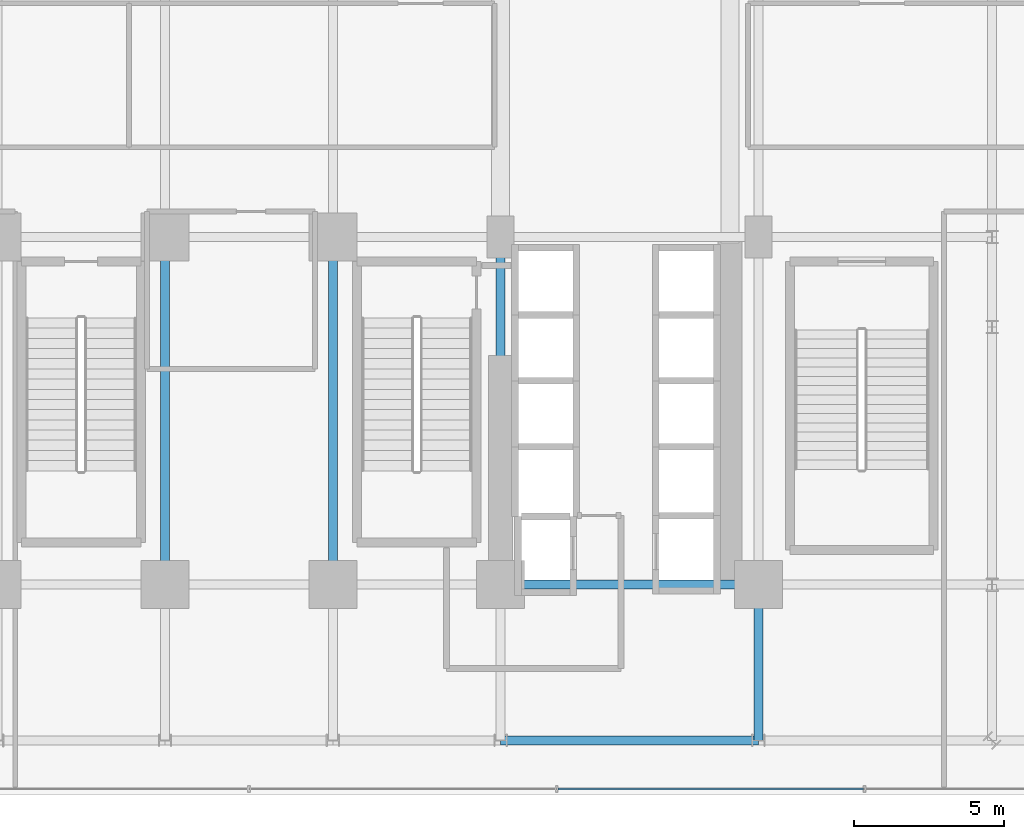
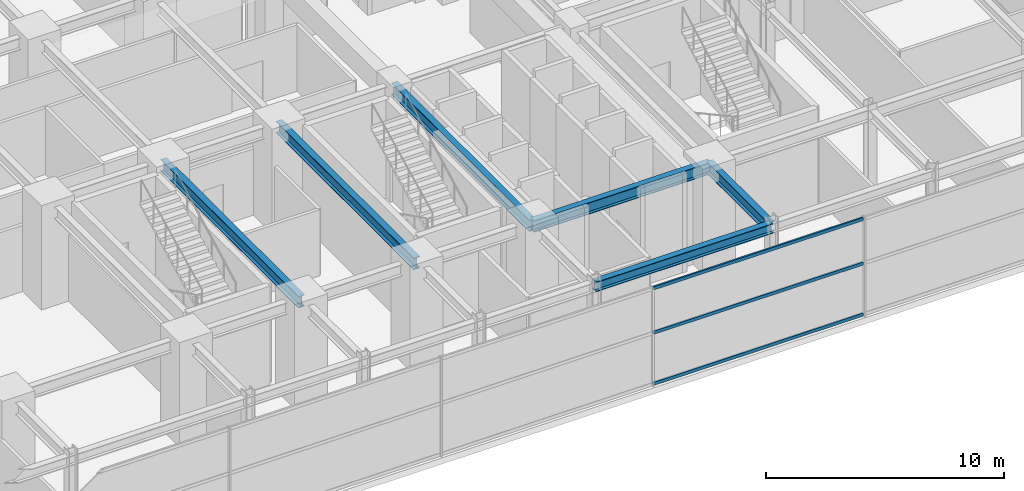
# One storey, part 11 of 32: 6 beams, 3 members, 1 element without a shape of its own.
"""IFC4 building model written with IfcOpenShell, lengths in metres."""

from ifc_helpers import new_model, si_unit, direction, frame, origin, origin_2d, place, context, subcontext, project, spatial, hollow_rectangle, i_section, extrude, source, transform, mapped, material, material_profile, profile_set, type_object, element, aggregate, save


model = new_model("IFC4")

# Units and contexts
model_context = context("Model", 3, precision=1e-05, world=origin(), true_north=direction((0.0, 1.0)))
body_context = subcontext(model_context, "Body", "Model", "MODEL_VIEW")
ifc_project = project(units=[si_unit("LENGTHUNIT", "METRE"), si_unit("AREAUNIT", "SQUARE_METRE"), si_unit("VOLUMEUNIT", "CUBIC_METRE"), si_unit("PLANEANGLEUNIT", "RADIAN"), si_unit("MASSUNIT", "GRAM", prefix="KILO")], contexts=[model_context])

# Site, building, storey
site_placement = place(None, origin())
site = spatial("IfcSite", under=ifc_project, at=site_placement, CompositionType="ELEMENT")
building_placement = place(site_placement, origin())
building = spatial("IfcBuilding", under=site, at=building_placement, Name="Nahalor Promenade Grand Hotel", CompositionType="ELEMENT")
storey_placement = place(building_placement, frame((0.0, 0.0, 10.800048828125)))
storey = spatial("IfcBuildingStorey", under=building, at=storey_placement, Name="L02", CompositionType="ELEMENT", Elevation=10.800048828125)

# Beams
ifc_material_1 = material(Name="Steel S355JR", Category="steel")
ifc_material_profile_1 = material_profile(ifc_material_1, i_section(OverallWidth=0.3, OverallDepth=0.6, WebThickness=0.0155, FlangeThickness=0.03, at=origin_2d()), Name="HEB 600")
ifc_profile_set_1 = profile_set([ifc_material_profile_1], Name="Steel S355JR")
beam_type_1 = type_object("IfcBeamType", Name="Beam-Girder-HEB600", PredefinedType="BEAM", material=ifc_profile_set_1)
shared_shape_1 = source(origin(), body_context, "Body", "SweptSolid", [
    extrude(i_section(OverallWidth=0.3, OverallDepth=0.6, WebThickness=0.0155, FlangeThickness=0.03, at=origin_2d()), origin(), (0.0, 0.0, 1.0), 8.60009765625),
])
beam_1_placement = place(storey_placement, frame((8.39990234375, -17.0, 4.760009765625), z_axis=(1.0, 0.0, 0.0), x_axis=(0.0, 1.0, 0.0)))
element("IfcBeam", 1, at=beam_1_placement, inside=storey, type_object=beam_type_1, Name="BM-L02-GX-0-6", PredefinedType="BEAM", context=body_context, shape_type="MappedRepresentation", body=[
    mapped(shared_shape_1, transform((0.0, 0.0, 0.0), scale=1.0)),
])
shared_shape_2 = source(origin(), body_context, "Body", "SweptSolid", [
    extrude(i_section(OverallWidth=0.3, OverallDepth=0.6, WebThickness=0.0155, FlangeThickness=0.03, at=origin_2d()), origin(), (0.0, 0.0, 1.0), 5.199951171875),
])
beam_2_placement = place(storey_placement, frame((17.0, -22.199951171875, 4.760009765625), z_axis=(0.0, 1.0, 0.0), x_axis=(-1.0, 0.0, 0.0)))
element("IfcBeam", 2, at=beam_2_placement, inside=storey, type_object=beam_type_1, Name="BM-L02-GY-5-0", PredefinedType="BEAM", context=body_context, shape_type="MappedRepresentation", body=[
    mapped(shared_shape_2, transform((0.0, 0.0, 0.0), scale=1.0)),
])
shared_shape_3 = source(origin(), body_context, "Body", "SweptSolid", [
    extrude(i_section(OverallWidth=0.3, OverallDepth=0.6, WebThickness=0.0155, FlangeThickness=0.03, at=origin_2d()), origin(), (0.0, 0.0, 1.0), 11.60009765625),
])
for number, where, z_axis, x_axis, name in (
    (3, (-2.800048828125, -17.0, 4.760009765625), (0.0, 1.0, 0.0), (-1.0, 0.0, 0.0), "BM-L02-GY-2-1"),
    (4, (2.800048828125, -17.0, 4.760009765625), (0.0, 1.0, 0.0), (-1.0, 0.0, 0.0), "BM-L02-GY-3-1"),
    (5, (8.39990234375, -17.0, 4.760009765625), (0.0, 1.0, 0.0), (-1.0, 0.0, 0.0), "BM-L02-GY-4-1"),
):
    element("IfcBeam", number, at=place(storey_placement, frame(where, z_axis=z_axis, x_axis=x_axis)), inside=storey, type_object=beam_type_1, Name=name, PredefinedType="BEAM", context=body_context, shape_type="MappedRepresentation", body=[
        mapped(shared_shape_3, transform((0.0, 0.0, 0.0), scale=1.0)),
    ])
ifc_material_profile_2 = material_profile(ifc_material_1, i_section(OverallWidth=0.3, OverallDepth=0.5, WebThickness=0.0145, FlangeThickness=0.028, at=origin_2d()), Name="HEB 500")
ifc_profile_set_2 = profile_set([ifc_material_profile_2], Name="Steel S355JR")
beam_type_2 = type_object("IfcBeamType", Name="Beam-Spandrel-HEB500", PredefinedType="SPANDREL", material=ifc_profile_set_2)
shared_shape_4 = source(origin(), body_context, "Body", "SweptSolid", [
    extrude(i_section(OverallWidth=0.3, OverallDepth=0.5, WebThickness=0.0145, FlangeThickness=0.028, at=origin_2d()), origin(), (0.0, 0.0, 1.0), 8.60009765625),
])
beam_3_placement = place(storey_placement, frame((8.39990234375, -22.199951171875, 4.81005859375), z_axis=(1.0, 0.0, 0.0), x_axis=(0.0, 1.0, 0.0)))
element("IfcBeam", 6, at=beam_3_placement, inside=storey, type_object=beam_type_2, Name="BM-L02-SP-S-4", PredefinedType="SPANDREL", context=body_context, shape_type="MappedRepresentation", body=[
    mapped(shared_shape_4, transform((0.0, 0.0, 0.0), scale=1.0)),
])

# Curtain wall, members
ifc_material_2 = material(Name="Anodised Bronze Aluminium EN AW-6063 T6", Category="aluminium")
curtain_wall_type = type_object("IfcCurtainWallType", Name="CW1 Waterfront Podium Bronze Arcade Curtain Wall", PredefinedType="USERDEFINED", material=ifc_material_2)
curtain_wall_placement = place(storey_placement, origin())
curtain_wall = element("IfcCurtainWall", 7, at=curtain_wall_placement, inside=storey, type_object=curtain_wall_type, Name="L02 Curtain Wall CW-L02-S", ObjectType="UNITISED_CURTAIN_WALL", PredefinedType="USERDEFINED")
ifc_material_profile_3 = material_profile(ifc_material_2, hollow_rectangle(XDim=0.08, YDim=0.16, WallThickness=0.004, at=origin_2d()), Name="CWT 80x160x4")
ifc_profile_set_3 = profile_set([ifc_material_profile_3], Name="Anodised Bronze Aluminium EN AW-6063 T6")
member_type = type_object("IfcMemberType", Name="CWT1 Podium Bronze Transom 80x160", PredefinedType="USERDEFINED", material=ifc_profile_set_3)
shared_shape_5 = source(origin(), body_context, "Body", "SweptSolid", [
    extrude(hollow_rectangle(XDim=0.08, YDim=0.16, WallThickness=0.004, at=origin_2d()), origin(), (0.0, 0.0, 1.0), 10.193359375),
])
member_1_placement = place(storey_placement, frame((10.313232421875, -23.820068359375, 0.079833984375), z_axis=(1.0, 0.0, 0.0), x_axis=(0.0, 1.0, 0.0)))
member_1 = element("IfcMember", 8, at=member_1_placement, type_object=member_type, Name="CW-L02-S Transom 4-0", ObjectType="TRANSOM", PredefinedType="USERDEFINED", context=body_context, shape_type="MappedRepresentation", body=[
    mapped(shared_shape_5, transform((0.0, 0.0, 0.0), scale=1.0)),
])
member_2_placement = place(storey_placement, frame((10.313232421875, -23.820068359375, 2.699951171875), z_axis=(1.0, 0.0, 0.0), x_axis=(0.0, 1.0, 0.0)))
member_2 = element("IfcMember", 9, at=member_2_placement, type_object=member_type, Name="CW-L02-S Transom 4-1", ObjectType="TRANSOM", PredefinedType="USERDEFINED", context=body_context, shape_type="MappedRepresentation", body=[
    mapped(shared_shape_5, transform((0.0, 0.0, 0.0), scale=1.0)),
])
member_3_placement = place(storey_placement, frame((10.313232421875, -23.820068359375, 4.97998046875), z_axis=(1.0, 0.0, 0.0), x_axis=(0.0, 1.0, 0.0)))
member_3 = element("IfcMember", 10, at=member_3_placement, type_object=member_type, Name="CW-L02-S Transom 4-2", ObjectType="TRANSOM", PredefinedType="USERDEFINED", context=body_context, shape_type="MappedRepresentation", body=[
    mapped(shared_shape_5, transform((0.0, 0.0, 0.0), scale=1.0)),
])
aggregate(curtain_wall, [member_1, member_2, member_3])

save(model, "model.ifc")
